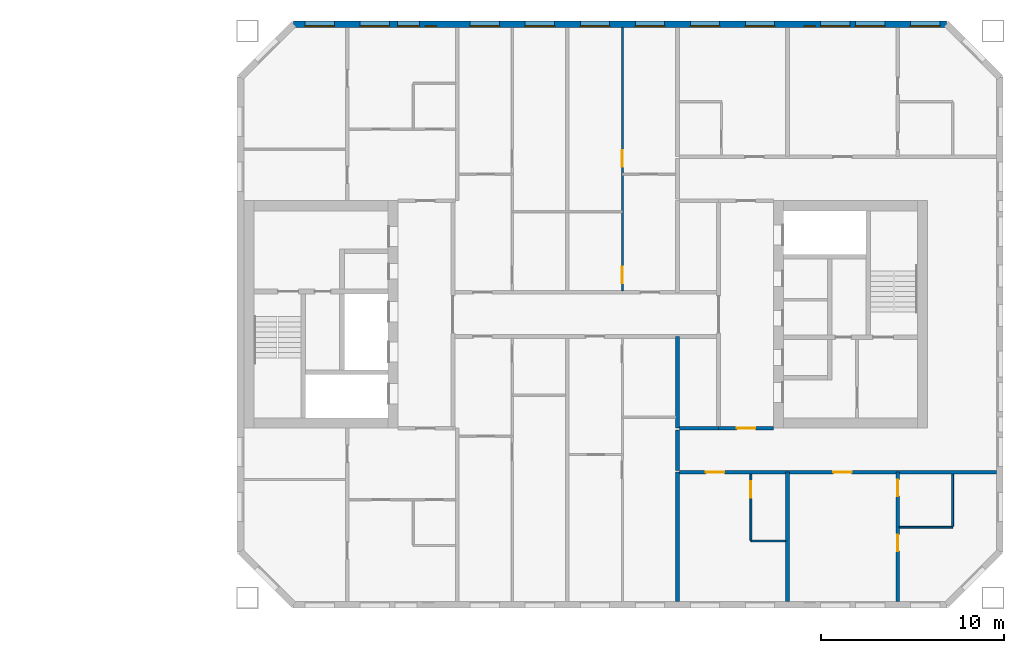
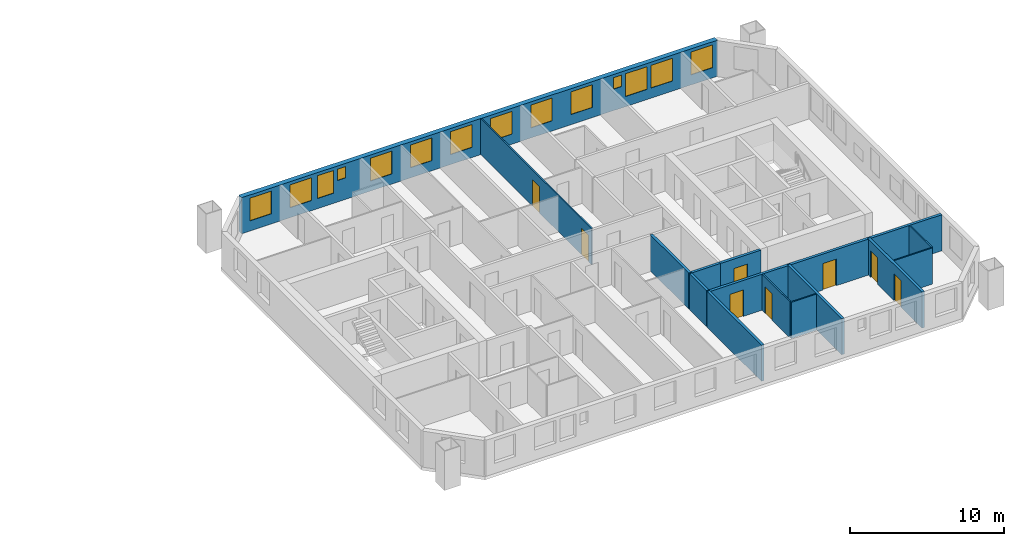
# One storey, part 12 of 16: 14 walls, 14 windows, 8 doors, 22 openings.
"""IFC4 building model written with IfcOpenShell, lengths in metres."""

from ifc_helpers import new_model, si_unit, direction, frame, frame_2d, origin, place, context, subcontext, project, spatial, rectangle, extrude, material, layer, layer_set, type_object, element, fill, save


model = new_model("IFC4")

# Units and contexts
model_context = context("Model", 3, precision=1e-05, world=origin(), true_north=direction((0.0, 1.0)))
body_context = subcontext(model_context, "Body", "Model", "MODEL_VIEW")
ifc_project = project(units=[si_unit("LENGTHUNIT", "METRE"), si_unit("AREAUNIT", "SQUARE_METRE"), si_unit("VOLUMEUNIT", "CUBIC_METRE"), si_unit("PLANEANGLEUNIT", "RADIAN"), si_unit("MASSUNIT", "GRAM", prefix="KILO")], contexts=[model_context])

# Site, building, storey
site_placement = place(None, origin())
site = spatial("IfcSite", under=ifc_project, at=site_placement, CompositionType="ELEMENT")
building_placement = place(site_placement, origin())
building = spatial("IfcBuilding", under=site, at=building_placement, Name="Tuart Gate Housing", CompositionType="ELEMENT")
storey_placement = place(building_placement, frame((0.0, 0.0, 129.89990234375)))
storey = spatial("IfcBuildingStorey", under=building, at=storey_placement, Name="L36", CompositionType="ELEMENT", Elevation=129.89990234375)

# Wall, openings, windows
ifc_material_1 = material(Name="Brick", Category="masonry")
ifc_layer_1 = layer(ifc_material_1, 0.360107421875)
ifc_layer_set_1 = layer_set([ifc_layer_1], Name="Brick pier and spandrel wall 360")
wall_type_1 = type_object("IfcWallType", Name="Brick pier and spandrel wall 360", PredefinedType="STANDARD", material=ifc_layer_set_1)
wall_1_placement = place(storey_placement, frame((169.67529296875, 85.820068359375, 0.0), z_axis=(0.0, 0.0, 1.0), x_axis=(-1.0, 0.0, 0.0)))
wall_1 = element("IfcWall", 1, at=wall_1_placement, inside=storey, type_object=wall_type_1, Name="External wall B-N L36", PredefinedType="STANDARD", context=body_context, shape_type="SweptSolid", body=[
    extrude(rectangle(XDim=35.600830078125, YDim=0.360107421875, at=frame_2d((17.80029296875, 0.0))), origin(), (0.0, 0.0, 1.0), 2.85009765625),
])
opening_1_placement = place(wall_1_placement, frame((0.37548828125, 0.0, 0.800048828125)))
opening_1 = element("IfcOpeningElement", 2, at=opening_1_placement, cuts=wall_1, Name="Opening W1", PredefinedType="OPENING", context=body_context, shape_type="SweptSolid", body=[
    extrude(rectangle(XDim=1.60009765625, YDim=1.800048828125, at=frame_2d((0.800048828125, 0.89990234375))), frame((0.0, 0.18994140625, 0.0), z_axis=(0.0, -1.0, 0.0), x_axis=(1.0, 0.0, 0.0)), (0.0, 0.0, 1.0), 0.380126953125),
])
opening_2_placement = place(wall_1_placement, frame((3.37548828125, 0.0, 0.800048828125)))
opening_2 = element("IfcOpeningElement", 3, at=opening_2_placement, cuts=wall_1, Name="Opening W1", PredefinedType="OPENING", context=body_context, shape_type="SweptSolid", body=[
    extrude(rectangle(XDim=1.60009765625, YDim=1.800048828125, at=frame_2d((0.800048828125, 0.89990234375))), frame((0.0, 0.18994140625, 0.0), z_axis=(0.0, -1.0, 0.0), x_axis=(1.0, 0.0, 0.0)), (0.0, 0.0, 1.0), 0.380126953125),
])
opening_3_placement = place(wall_1_placement, frame((5.275390625, 0.0, 0.800048828125)))
opening_3 = element("IfcOpeningElement", 4, at=opening_3_placement, cuts=wall_1, Name="Opening W1", PredefinedType="OPENING", context=body_context, shape_type="SweptSolid", body=[
    extrude(rectangle(XDim=1.60009765625, YDim=1.800048828125, at=frame_2d((0.800048828125, 0.89990234375))), frame((0.0, 0.18994140625, 0.0), z_axis=(0.0, -1.0, 0.0), x_axis=(1.0, 0.0, 0.0)), (0.0, 0.0, 1.0), 0.380126953125),
])
opening_4_placement = place(wall_1_placement, frame((9.37548828125, 0.0, 0.800048828125)))
opening_4 = element("IfcOpeningElement", 5, at=opening_4_placement, cuts=wall_1, Name="Opening W1", PredefinedType="OPENING", context=body_context, shape_type="SweptSolid", body=[
    extrude(rectangle(XDim=1.60009765625, YDim=1.800048828125, at=frame_2d((0.800048828125, 0.89990234375))), frame((0.0, 0.18994140625, 0.0), z_axis=(0.0, -1.0, 0.0), x_axis=(1.0, 0.0, 0.0)), (0.0, 0.0, 1.0), 0.380126953125),
])
opening_5_placement = place(wall_1_placement, frame((12.37548828125, 0.0, 0.800048828125)))
opening_5 = element("IfcOpeningElement", 6, at=opening_5_placement, cuts=wall_1, Name="Opening W1", PredefinedType="OPENING", context=body_context, shape_type="SweptSolid", body=[
    extrude(rectangle(XDim=1.60009765625, YDim=1.800048828125, at=frame_2d((0.800048828125, 0.89990234375))), frame((0.0, 0.18994140625, 0.0), z_axis=(0.0, -1.0, 0.0), x_axis=(1.0, 0.0, 0.0)), (0.0, 0.0, 1.0), 0.380126953125),
])
opening_6_placement = place(wall_1_placement, frame((15.37548828125, 0.0, 0.800048828125)))
opening_6 = element("IfcOpeningElement", 7, at=opening_6_placement, cuts=wall_1, Name="Opening W1", PredefinedType="OPENING", context=body_context, shape_type="SweptSolid", body=[
    extrude(rectangle(XDim=1.60009765625, YDim=1.800048828125, at=frame_2d((0.800048828125, 0.89990234375))), frame((0.0, 0.18994140625, 0.0), z_axis=(0.0, -1.0, 0.0), x_axis=(1.0, 0.0, 0.0)), (0.0, 0.0, 1.0), 0.380126953125),
])
opening_7_placement = place(wall_1_placement, frame((18.37548828125, 0.0, 0.800048828125)))
opening_7 = element("IfcOpeningElement", 8, at=opening_7_placement, cuts=wall_1, Name="Opening W1", PredefinedType="OPENING", context=body_context, shape_type="SweptSolid", body=[
    extrude(rectangle(XDim=1.60009765625, YDim=1.800048828125, at=frame_2d((0.800048828125, 0.89990234375))), frame((0.0, 0.18994140625, 0.0), z_axis=(0.0, -1.0, 0.0), x_axis=(1.0, 0.0, 0.0)), (0.0, 0.0, 1.0), 0.380126953125),
])
opening_8_placement = place(wall_1_placement, frame((21.37548828125, 0.0, 0.800048828125)))
opening_8 = element("IfcOpeningElement", 9, at=opening_8_placement, cuts=wall_1, Name="Opening W1", PredefinedType="OPENING", context=body_context, shape_type="SweptSolid", body=[
    extrude(rectangle(XDim=1.60009765625, YDim=1.800048828125, at=frame_2d((0.800048828125, 0.89990234375))), frame((0.0, 0.18994140625, 0.0), z_axis=(0.0, -1.0, 0.0), x_axis=(1.0, 0.0, 0.0)), (0.0, 0.0, 1.0), 0.380126953125),
])
opening_9_placement = place(wall_1_placement, frame((24.37548828125, 0.0, 0.800048828125)))
opening_9 = element("IfcOpeningElement", 10, at=opening_9_placement, cuts=wall_1, Name="Opening W1", PredefinedType="OPENING", context=body_context, shape_type="SweptSolid", body=[
    extrude(rectangle(XDim=1.60009765625, YDim=1.800048828125, at=frame_2d((0.800048828125, 0.89990234375))), frame((0.0, 0.18994140625, 0.0), z_axis=(0.0, -1.0, 0.0), x_axis=(1.0, 0.0, 0.0)), (0.0, 0.0, 1.0), 0.380126953125),
])
opening_10_placement = place(wall_1_placement, frame((27.825439453125, 0.0, 1.699951171875)))
opening_10 = element("IfcOpeningElement", 11, at=opening_10_placement, cuts=wall_1, Name="Opening W1W", PredefinedType="OPENING", context=body_context, shape_type="SweptSolid", body=[
    extrude(rectangle(XDim=0.60009765625, YDim=0.89990234375, at=frame_2d((0.300048828125, 0.449951171875))), frame((0.0, 0.18994140625, 0.0), z_axis=(0.0, -1.0, 0.0), x_axis=(1.0, 0.0, 0.0)), (0.0, 0.0, 1.0), 0.380126953125),
])
opening_11_placement = place(wall_1_placement, frame((30.37548828125, 0.0, 0.800048828125)))
opening_11 = element("IfcOpeningElement", 12, at=opening_11_placement, cuts=wall_1, Name="Opening W1", PredefinedType="OPENING", context=body_context, shape_type="SweptSolid", body=[
    extrude(rectangle(XDim=1.60009765625, YDim=1.800048828125, at=frame_2d((0.800048828125, 0.89990234375))), frame((0.0, 0.18994140625, 0.0), z_axis=(0.0, -1.0, 0.0), x_axis=(1.0, 0.0, 0.0)), (0.0, 0.0, 1.0), 0.380126953125),
])
opening_12_placement = place(wall_1_placement, frame((33.37548828125, 0.0, 0.800048828125)))
opening_12 = element("IfcOpeningElement", 13, at=opening_12_placement, cuts=wall_1, Name="Opening W1", PredefinedType="OPENING", context=body_context, shape_type="SweptSolid", body=[
    extrude(rectangle(XDim=1.60009765625, YDim=1.800048828125, at=frame_2d((0.800048828125, 0.89990234375))), frame((0.0, 0.18994140625, 0.0), z_axis=(0.0, -1.0, 0.0), x_axis=(1.0, 0.0, 0.0)), (0.0, 0.0, 1.0), 0.380126953125),
])
opening_13_placement = place(wall_1_placement, frame((7.17529296875, 0.0, 1.699951171875)))
opening_13 = element("IfcOpeningElement", 14, at=opening_13_placement, cuts=wall_1, Name="Opening W1W", PredefinedType="OPENING", context=body_context, shape_type="SweptSolid", body=[
    extrude(rectangle(XDim=0.60009765625, YDim=0.89990234375, at=frame_2d((0.300048828125, 0.449951171875))), frame((0.0, 0.18994140625, 0.0), z_axis=(0.0, -1.0, 0.0), x_axis=(1.0, 0.0, 0.0)), (0.0, 0.0, 1.0), 0.380126953125),
])
opening_14_placement = place(wall_1_placement, frame((28.725341796875, 0.0, 0.800048828125)))
opening_14 = element("IfcOpeningElement", 15, at=opening_14_placement, cuts=wall_1, Name="Opening W1B", PredefinedType="OPENING", context=body_context, shape_type="SweptSolid", body=[
    extrude(rectangle(XDim=1.199951171875, YDim=1.800048828125, at=frame_2d((0.60009765625, 0.89990234375))), frame((0.0, 0.18994140625, 0.0), z_axis=(0.0, -1.0, 0.0), x_axis=(1.0, 0.0, 0.0)), (0.0, 0.0, 1.0), 0.380126953125),
])
ifc_material_2 = material(Name="Aluminium frame with clear glass", Category="aluminium")
window_type_1 = type_object("IfcWindowType", Name="Punched window 1200 x 1800", PartitioningType="SINGLE_PANEL", PredefinedType="WINDOW", material=ifc_material_2)
window_1_placement = place(opening_14_placement, origin())
window_1 = element("IfcWindow", 16, at=window_1_placement, inside=storey, type_object=window_type_1, Name="Window W1B", OverallHeight=1.800048828125, OverallWidth=1.199951171875, PartitioningType="SINGLE_PANEL", PredefinedType="WINDOW", context=body_context, shape_type="SweptSolid", body=[
    extrude(rectangle(XDim=1.199951171875, YDim=1.800048828125, at=frame_2d((0.60009765625, 0.89990234375))), frame((0.0, 0.150146484375, 0.0), z_axis=(0.0, -1.0, 0.0), x_axis=(1.0, 0.0, 0.0)), (0.0, 0.0, 1.0), 0.06005859375),
])
fill(opening_14, window_1)
ifc_material_3 = material(Name="Aluminium frame with clear glass", Category="aluminium")
window_type_2 = type_object("IfcWindowType", Name="Punched window 1600 x 1800", PartitioningType="SINGLE_PANEL", PredefinedType="WINDOW", material=ifc_material_3)
window_2_placement = place(opening_1_placement, origin())
window_2 = element("IfcWindow", 17, at=window_2_placement, inside=storey, type_object=window_type_2, Name="Window W1", OverallHeight=1.800048828125, OverallWidth=1.60009765625, PartitioningType="SINGLE_PANEL", PredefinedType="WINDOW", context=body_context, shape_type="SweptSolid", body=[
    extrude(rectangle(XDim=1.60009765625, YDim=1.800048828125, at=frame_2d((0.800048828125, 0.89990234375))), frame((0.0, 0.150146484375, 0.0), z_axis=(0.0, -1.0, 0.0), x_axis=(1.0, 0.0, 0.0)), (0.0, 0.0, 1.0), 0.06005859375),
])
fill(opening_1, window_2)
window_3_placement = place(opening_2_placement, origin())
window_3 = element("IfcWindow", 18, at=window_3_placement, inside=storey, type_object=window_type_2, Name="Window W1", OverallHeight=1.800048828125, OverallWidth=1.60009765625, PartitioningType="SINGLE_PANEL", PredefinedType="WINDOW", context=body_context, shape_type="SweptSolid", body=[
    extrude(rectangle(XDim=1.60009765625, YDim=1.800048828125, at=frame_2d((0.800048828125, 0.89990234375))), frame((0.0, 0.150146484375, 0.0), z_axis=(0.0, -1.0, 0.0), x_axis=(1.0, 0.0, 0.0)), (0.0, 0.0, 1.0), 0.06005859375),
])
fill(opening_2, window_3)
window_4_placement = place(opening_3_placement, origin())
window_4 = element("IfcWindow", 19, at=window_4_placement, inside=storey, type_object=window_type_2, Name="Window W1", OverallHeight=1.800048828125, OverallWidth=1.60009765625, PartitioningType="SINGLE_PANEL", PredefinedType="WINDOW", context=body_context, shape_type="SweptSolid", body=[
    extrude(rectangle(XDim=1.60009765625, YDim=1.800048828125, at=frame_2d((0.800048828125, 0.89990234375))), frame((0.0, 0.150146484375, 0.0), z_axis=(0.0, -1.0, 0.0), x_axis=(1.0, 0.0, 0.0)), (0.0, 0.0, 1.0), 0.06005859375),
])
fill(opening_3, window_4)
window_5_placement = place(opening_4_placement, origin())
window_5 = element("IfcWindow", 20, at=window_5_placement, inside=storey, type_object=window_type_2, Name="Window W1", OverallHeight=1.800048828125, OverallWidth=1.60009765625, PartitioningType="SINGLE_PANEL", PredefinedType="WINDOW", context=body_context, shape_type="SweptSolid", body=[
    extrude(rectangle(XDim=1.60009765625, YDim=1.800048828125, at=frame_2d((0.800048828125, 0.89990234375))), frame((0.0, 0.150146484375, 0.0), z_axis=(0.0, -1.0, 0.0), x_axis=(1.0, 0.0, 0.0)), (0.0, 0.0, 1.0), 0.06005859375),
])
fill(opening_4, window_5)
window_6_placement = place(opening_5_placement, origin())
window_6 = element("IfcWindow", 21, at=window_6_placement, inside=storey, type_object=window_type_2, Name="Window W1", OverallHeight=1.800048828125, OverallWidth=1.60009765625, PartitioningType="SINGLE_PANEL", PredefinedType="WINDOW", context=body_context, shape_type="SweptSolid", body=[
    extrude(rectangle(XDim=1.60009765625, YDim=1.800048828125, at=frame_2d((0.800048828125, 0.89990234375))), frame((0.0, 0.150146484375, 0.0), z_axis=(0.0, -1.0, 0.0), x_axis=(1.0, 0.0, 0.0)), (0.0, 0.0, 1.0), 0.06005859375),
])
fill(opening_5, window_6)
window_7_placement = place(opening_6_placement, origin())
window_7 = element("IfcWindow", 22, at=window_7_placement, inside=storey, type_object=window_type_2, Name="Window W1", OverallHeight=1.800048828125, OverallWidth=1.60009765625, PartitioningType="SINGLE_PANEL", PredefinedType="WINDOW", context=body_context, shape_type="SweptSolid", body=[
    extrude(rectangle(XDim=1.60009765625, YDim=1.800048828125, at=frame_2d((0.800048828125, 0.89990234375))), frame((0.0, 0.150146484375, 0.0), z_axis=(0.0, -1.0, 0.0), x_axis=(1.0, 0.0, 0.0)), (0.0, 0.0, 1.0), 0.06005859375),
])
fill(opening_6, window_7)
window_8_placement = place(opening_7_placement, origin())
window_8 = element("IfcWindow", 23, at=window_8_placement, inside=storey, type_object=window_type_2, Name="Window W1", OverallHeight=1.800048828125, OverallWidth=1.60009765625, PartitioningType="SINGLE_PANEL", PredefinedType="WINDOW", context=body_context, shape_type="SweptSolid", body=[
    extrude(rectangle(XDim=1.60009765625, YDim=1.800048828125, at=frame_2d((0.800048828125, 0.89990234375))), frame((0.0, 0.150146484375, 0.0), z_axis=(0.0, -1.0, 0.0), x_axis=(1.0, 0.0, 0.0)), (0.0, 0.0, 1.0), 0.06005859375),
])
fill(opening_7, window_8)
window_9_placement = place(opening_8_placement, origin())
window_9 = element("IfcWindow", 24, at=window_9_placement, inside=storey, type_object=window_type_2, Name="Window W1", OverallHeight=1.800048828125, OverallWidth=1.60009765625, PartitioningType="SINGLE_PANEL", PredefinedType="WINDOW", context=body_context, shape_type="SweptSolid", body=[
    extrude(rectangle(XDim=1.60009765625, YDim=1.800048828125, at=frame_2d((0.800048828125, 0.89990234375))), frame((0.0, 0.150146484375, 0.0), z_axis=(0.0, -1.0, 0.0), x_axis=(1.0, 0.0, 0.0)), (0.0, 0.0, 1.0), 0.06005859375),
])
fill(opening_8, window_9)
window_10_placement = place(opening_9_placement, origin())
window_10 = element("IfcWindow", 25, at=window_10_placement, inside=storey, type_object=window_type_2, Name="Window W1", OverallHeight=1.800048828125, OverallWidth=1.60009765625, PartitioningType="SINGLE_PANEL", PredefinedType="WINDOW", context=body_context, shape_type="SweptSolid", body=[
    extrude(rectangle(XDim=1.60009765625, YDim=1.800048828125, at=frame_2d((0.800048828125, 0.89990234375))), frame((0.0, 0.150146484375, 0.0), z_axis=(0.0, -1.0, 0.0), x_axis=(1.0, 0.0, 0.0)), (0.0, 0.0, 1.0), 0.06005859375),
])
fill(opening_9, window_10)
window_11_placement = place(opening_11_placement, origin())
window_11 = element("IfcWindow", 26, at=window_11_placement, inside=storey, type_object=window_type_2, Name="Window W1", OverallHeight=1.800048828125, OverallWidth=1.60009765625, PartitioningType="SINGLE_PANEL", PredefinedType="WINDOW", context=body_context, shape_type="SweptSolid", body=[
    extrude(rectangle(XDim=1.60009765625, YDim=1.800048828125, at=frame_2d((0.800048828125, 0.89990234375))), frame((0.0, 0.150146484375, 0.0), z_axis=(0.0, -1.0, 0.0), x_axis=(1.0, 0.0, 0.0)), (0.0, 0.0, 1.0), 0.06005859375),
])
fill(opening_11, window_11)
window_12_placement = place(opening_12_placement, origin())
window_12 = element("IfcWindow", 27, at=window_12_placement, inside=storey, type_object=window_type_2, Name="Window W1", OverallHeight=1.800048828125, OverallWidth=1.60009765625, PartitioningType="SINGLE_PANEL", PredefinedType="WINDOW", context=body_context, shape_type="SweptSolid", body=[
    extrude(rectangle(XDim=1.60009765625, YDim=1.800048828125, at=frame_2d((0.800048828125, 0.89990234375))), frame((0.0, 0.150146484375, 0.0), z_axis=(0.0, -1.0, 0.0), x_axis=(1.0, 0.0, 0.0)), (0.0, 0.0, 1.0), 0.06005859375),
])
fill(opening_12, window_12)
ifc_material_4 = material(Name="Aluminium frame with clear glass", Category="aluminium")
window_type_3 = type_object("IfcWindowType", Name="Punched window 600 x 900", PartitioningType="SINGLE_PANEL", PredefinedType="WINDOW", material=ifc_material_4)
window_13_placement = place(opening_10_placement, origin())
window_13 = element("IfcWindow", 28, at=window_13_placement, inside=storey, type_object=window_type_3, Name="Window W1W", OverallHeight=0.89990234375, OverallWidth=0.60009765625, PartitioningType="SINGLE_PANEL", PredefinedType="WINDOW", context=body_context, shape_type="SweptSolid", body=[
    extrude(rectangle(XDim=0.60009765625, YDim=0.89990234375, at=frame_2d((0.300048828125, 0.449951171875))), frame((0.0, 0.150146484375, 0.0), z_axis=(0.0, -1.0, 0.0), x_axis=(1.0, 0.0, 0.0)), (0.0, 0.0, 1.0), 0.06005859375),
])
fill(opening_10, window_13)
window_14_placement = place(opening_13_placement, origin())
window_14 = element("IfcWindow", 29, at=window_14_placement, inside=storey, type_object=window_type_3, Name="Window W1W", OverallHeight=0.89990234375, OverallWidth=0.60009765625, PartitioningType="SINGLE_PANEL", PredefinedType="WINDOW", context=body_context, shape_type="SweptSolid", body=[
    extrude(rectangle(XDim=0.60009765625, YDim=0.89990234375, at=frame_2d((0.300048828125, 0.449951171875))), frame((0.0, 0.150146484375, 0.0), z_axis=(0.0, -1.0, 0.0), x_axis=(1.0, 0.0, 0.0)), (0.0, 0.0, 1.0), 0.06005859375),
])
fill(opening_13, window_14)

# Wall, openings, doors
ifc_material_5 = material(Name="Concrete masonry 15 MPa", Category="masonry")
ifc_layer_2 = layer(ifc_material_5, 0.199951171875)
ifc_layer_set_2 = layer_set([ifc_layer_2], Name="Corridor wall masonry 200")
wall_type_2 = type_object("IfcWallType", Name="Corridor wall masonry 200", PredefinedType="PARTITIONING", material=ifc_layer_set_2)
wall_2_placement = place(storey_placement, frame((155.10009765625, 61.39990234375, 0.0), z_axis=(0.0, 0.0, 1.0), x_axis=(1.0, 0.0, 0.0)))
wall_2 = element("IfcWall", 30, at=wall_2_placement, inside=storey, type_object=wall_type_2, Name="Corridor wall masonry 200", PredefinedType="PARTITIONING", context=body_context, shape_type="SweptSolid", body=[
    extrude(rectangle(XDim=17.289794921875, YDim=0.199951171875, at=frame_2d((8.64501953125, 0.0))), origin(), (0.0, 0.0, 1.0), 2.85009765625),
])
opening_15_placement = place(wall_2_placement, frame((1.449951171875, 0.0, 0.0)))
opening_15 = element("IfcOpeningElement", 31, at=opening_15_placement, cuts=wall_2, Name="Opening D1393", PredefinedType="OPENING", context=body_context, shape_type="SweptSolid", body=[
    extrude(rectangle(XDim=1.0, YDim=2.10009765625, at=frame_2d((0.5, 1.050048828125))), frame((0.0, 0.10986328125, 0.0), z_axis=(0.0, -1.0, 0.0), x_axis=(1.0, 0.0, 0.0)), (0.0, 0.0, 1.0), 0.219970703125),
])
opening_16_placement = place(wall_2_placement, frame((8.39990234375, 0.0, 0.0)))
opening_16 = element("IfcOpeningElement", 32, at=opening_16_placement, cuts=wall_2, Name="Opening D1394", PredefinedType="OPENING", context=body_context, shape_type="SweptSolid", body=[
    extrude(rectangle(XDim=1.0, YDim=2.10009765625, at=frame_2d((0.5, 1.050048828125))), frame((0.0, 0.10986328125, 0.0), z_axis=(0.0, -1.0, 0.0), x_axis=(1.0, 0.0, 0.0)), (0.0, 0.0, 1.0), 0.219970703125),
])
ifc_material_6 = material(Name="Timber door leaf in steel frame", Category="steel")
door_type_1 = type_object("IfcDoorType", Name="Flat entrance door 1000", OperationType="SINGLE_SWING_LEFT", PredefinedType="DOOR", material=ifc_material_6)
door_1_placement = place(opening_15_placement, frame((1.0, 0.0, 0.0), z_axis=(0.0, 0.0, 1.0), x_axis=(-1.0, 0.0, 0.0)))
door_1 = element("IfcDoor", 33, at=door_1_placement, inside=storey, type_object=door_type_1, Name="Flat entrance door", OperationType="SINGLE_SWING_LEFT", OverallHeight=2.10009765625, OverallWidth=1.0, PredefinedType="DOOR", context=body_context, shape_type="SweptSolid", body=[
    extrude(rectangle(XDim=1.0, YDim=2.10009765625, at=frame_2d((0.5, 1.050048828125))), frame((0.0, 0.025146484375, 0.0), z_axis=(0.0, -1.0, 0.0), x_axis=(1.0, 0.0, 0.0)), (0.0, 0.0, 1.0), 0.050048828125),
])
fill(opening_15, door_1)
ifc_material_7 = material(Name="Timber door leaf in steel frame", Category="steel")
door_type_2 = type_object("IfcDoorType", Name="Flat entrance door 1000 RH", OperationType="SINGLE_SWING_RIGHT", PredefinedType="DOOR", material=ifc_material_7)
door_2_placement = place(opening_16_placement, frame((1.0, 0.0, 0.0), z_axis=(0.0, 0.0, 1.0), x_axis=(-1.0, 0.0, 0.0)))
door_2 = element("IfcDoor", 34, at=door_2_placement, inside=storey, type_object=door_type_2, Name="Flat entrance door", OperationType="SINGLE_SWING_RIGHT", OverallHeight=2.10009765625, OverallWidth=1.0, PredefinedType="DOOR", context=body_context, shape_type="SweptSolid", body=[
    extrude(rectangle(XDim=1.0, YDim=2.10009765625, at=frame_2d((0.5, 1.050048828125))), frame((0.0, 0.025146484375, 0.0), z_axis=(0.0, -1.0, 0.0), x_axis=(1.0, 0.0, 0.0)), (0.0, 0.0, 1.0), 0.050048828125),
])
fill(opening_16, door_2)

# Walls
wall_3_placement = place(storey_placement, frame((155.10009765625, 63.800048828125, 0.0), z_axis=(0.0, 0.0, 1.0), x_axis=(1.0, 0.0, 0.0)))
element("IfcWall", 35, at=wall_3_placement, inside=storey, type_object=wall_type_2, Name="Corridor wall masonry 200", PredefinedType="PARTITIONING", context=body_context, shape_type="SweptSolid", body=[
    extrude(rectangle(XDim=2.139892578125, YDim=0.199951171875, at=frame_2d((1.06982421875, 0.0))), origin(), (0.0, 0.0, 1.0), 2.85009765625),
])
wall_4_placement = place(storey_placement, frame((155.0, 61.5, 0.0), z_axis=(0.0, 0.0, 1.0), x_axis=(0.0, 1.0, 0.0)))
element("IfcWall", 36, at=wall_4_placement, inside=storey, type_object=wall_type_2, Name="Corridor wall masonry 200", PredefinedType="PARTITIONING", context=body_context, shape_type="SweptSolid", body=[
    extrude(rectangle(XDim=2.199951171875, YDim=0.199951171875, at=frame_2d((1.10009765625, 0.0))), origin(), (0.0, 0.0, 1.0), 2.85009765625),
])

# Wall, opening, door
ifc_material_8 = material(Name="Concrete masonry 15 MPa", Category="masonry")
ifc_layer_3 = layer(ifc_material_8, 0.199951171875)
ifc_layer_set_3 = layer_set([ifc_layer_3], Name="Enclosure wall masonry 200")
wall_type_3 = type_object("IfcWallType", Name="Enclosure wall masonry 200", PredefinedType="PARTITIONING", material=ifc_layer_set_3)
wall_5_placement = place(storey_placement, frame((157.239990234375, 63.800048828125, 0.0), z_axis=(0.0, 0.0, 1.0), x_axis=(1.0, 0.0, 0.0)))
wall_5 = element("IfcWall", 37, at=wall_5_placement, inside=storey, type_object=wall_type_3, Name="Enclosure wall masonry 200", PredefinedType="PARTITIONING", context=body_context, shape_type="SweptSolid", body=[
    extrude(rectangle(XDim=3.0, YDim=0.199951171875, at=frame_2d((1.5, 0.0))), origin(), (0.0, 0.0, 1.0), 2.85009765625),
])
opening_17_placement = place(wall_5_placement, frame((1.0, 0.0, 0.0)))
opening_17 = element("IfcOpeningElement", 38, at=opening_17_placement, cuts=wall_5, Name="Opening D1386", PredefinedType="OPENING", context=body_context, shape_type="SweptSolid", body=[
    extrude(rectangle(XDim=1.0, YDim=2.10009765625, at=frame_2d((0.5, 1.050048828125))), frame((0.0, 0.10986328125, 0.0), z_axis=(0.0, -1.0, 0.0), x_axis=(1.0, 0.0, 0.0)), (0.0, 0.0, 1.0), 0.219970703125),
])
ifc_material_9 = material(Name="Timber door leaf in steel frame", Category="steel")
door_type_3 = type_object("IfcDoorType", Name="Fire door 1000 RH", OperationType="SINGLE_SWING_RIGHT", PredefinedType="DOOR", material=ifc_material_9)
door_3_placement = place(opening_17_placement, frame((1.0, 0.0, 0.0), z_axis=(0.0, 0.0, 1.0), x_axis=(-1.0, 0.0, 0.0)))
door_3 = element("IfcDoor", 39, at=door_3_placement, inside=storey, type_object=door_type_3, Name="Fire door", OperationType="SINGLE_SWING_RIGHT", OverallHeight=2.10009765625, OverallWidth=1.0, PredefinedType="DOOR", context=body_context, shape_type="SweptSolid", body=[
    extrude(rectangle(XDim=1.0, YDim=2.10009765625, at=frame_2d((0.5, 1.050048828125))), frame((0.0, 0.025146484375, 0.0), z_axis=(0.0, -1.0, 0.0), x_axis=(1.0, 0.0, 0.0)), (0.0, 0.0, 1.0), 0.050048828125),
])
fill(opening_17, door_3)

# Walls
ifc_material_10 = material(Name="Gypsum board on steel studs", Category="steel")
ifc_layer_4 = layer(ifc_material_10, 0.10009765625)
ifc_layer_set_4 = layer_set([ifc_layer_4], Name="Partition 100")
wall_type_4 = type_object("IfcWallType", Name="Partition 100", PredefinedType="PARTITIONING", material=ifc_layer_set_4)
wall_6_placement = place(storey_placement, frame((159.0, 57.64990234375, 0.0), z_axis=(0.0, 0.0, 1.0), x_axis=(1.0, 0.0, 0.0)))
element("IfcWall", 40, at=wall_6_placement, inside=storey, type_object=wall_type_4, Name="Partition 100", PredefinedType="PARTITIONING", context=body_context, shape_type="SweptSolid", body=[
    extrude(rectangle(XDim=1.89990234375, YDim=0.10009765625, at=frame_2d((0.949951171875, 0.0))), origin(), (0.0, 0.0, 1.0), 2.85009765625),
])
wall_7_placement = place(storey_placement, frame((167.10009765625, 58.39990234375, 0.0), z_axis=(0.0, 0.0, 1.0), x_axis=(1.0, 0.0, 0.0)))
element("IfcWall", 41, at=wall_7_placement, inside=storey, type_object=wall_type_4, Name="Partition 100", PredefinedType="PARTITIONING", context=body_context, shape_type="SweptSolid", body=[
    extrude(rectangle(XDim=2.89990234375, YDim=0.10009765625, at=frame_2d((1.449951171875, 0.0))), origin(), (0.0, 0.0, 1.0), 2.85009765625),
])

# Wall, openings, doors
wall_8_placement = place(storey_placement, frame((152.0, 71.300048828125, 0.0), z_axis=(0.0, 0.0, 1.0), x_axis=(0.0, 1.0, 0.0)))
wall_8 = element("IfcWall", 42, at=wall_8_placement, inside=storey, type_object=wall_type_4, Name="Partition 100", PredefinedType="PARTITIONING", context=body_context, shape_type="SweptSolid", body=[
    extrude(rectangle(XDim=14.33984375, YDim=0.10009765625, at=frame_2d((7.169921875, 0.0))), origin(), (0.0, 0.0, 1.0), 2.85009765625),
])
opening_18_placement = place(wall_8_placement, frame((6.739990234375, 0.0, 0.0)))
opening_18 = element("IfcOpeningElement", 43, at=opening_18_placement, cuts=wall_8, Name="Opening D1363", PredefinedType="OPENING", context=body_context, shape_type="SweptSolid", body=[
    extrude(rectangle(XDim=0.89990234375, YDim=2.10009765625, at=frame_2d((0.449951171875, 1.050048828125))), frame((0.0, 0.06005859375, 0.0), z_axis=(0.0, -1.0, 0.0), x_axis=(1.0, 0.0, 0.0)), (0.0, 0.0, 1.0), 0.1201171875),
])
opening_19_placement = place(wall_8_placement, frame((0.39990234375, 0.0, 0.0)))
opening_19 = element("IfcOpeningElement", 44, at=opening_19_placement, cuts=wall_8, Name="Opening D1362", PredefinedType="OPENING", context=body_context, shape_type="SweptSolid", body=[
    extrude(rectangle(XDim=0.89990234375, YDim=2.10009765625, at=frame_2d((0.449951171875, 1.050048828125))), frame((0.0, 0.06005859375, 0.0), z_axis=(0.0, -1.0, 0.0), x_axis=(1.0, 0.0, 0.0)), (0.0, 0.0, 1.0), 0.1201171875),
])
ifc_material_11 = material(Name="Timber door leaf in steel frame", Category="steel")
door_type_4 = type_object("IfcDoorType", Name="Bathroom door 900", OperationType="SINGLE_SWING_LEFT", PredefinedType="DOOR", material=ifc_material_11)
door_4_placement = place(opening_19_placement, origin())
door_4 = element("IfcDoor", 45, at=door_4_placement, inside=storey, type_object=door_type_4, Name="Bathroom door", OperationType="SINGLE_SWING_LEFT", OverallHeight=2.10009765625, OverallWidth=0.89990234375, PredefinedType="DOOR", context=body_context, shape_type="SweptSolid", body=[
    extrude(rectangle(XDim=0.89990234375, YDim=2.10009765625, at=frame_2d((0.449951171875, 1.050048828125))), frame((0.0, 0.02490234375, 0.0), z_axis=(0.0, -1.0, 0.0), x_axis=(1.0, 0.0, 0.0)), (0.0, 0.0, 1.0), 0.050048828125),
])
fill(opening_19, door_4)
ifc_material_12 = material(Name="Timber door leaf in steel frame", Category="steel")
door_type_5 = type_object("IfcDoorType", Name="Internal door 900", OperationType="SINGLE_SWING_LEFT", PredefinedType="DOOR", material=ifc_material_12)
door_5_placement = place(opening_18_placement, origin())
door_5 = element("IfcDoor", 46, at=door_5_placement, inside=storey, type_object=door_type_5, Name="Internal door", OperationType="SINGLE_SWING_LEFT", OverallHeight=2.10009765625, OverallWidth=0.89990234375, PredefinedType="DOOR", context=body_context, shape_type="SweptSolid", body=[
    extrude(rectangle(XDim=0.89990234375, YDim=2.10009765625, at=frame_2d((0.449951171875, 1.050048828125))), frame((0.0, 0.02490234375, 0.0), z_axis=(0.0, -1.0, 0.0), x_axis=(1.0, 0.0, 0.0)), (0.0, 0.0, 1.0), 0.050048828125),
])
fill(opening_18, door_5)

# Wall, opening, door
wall_9_placement = place(storey_placement, frame((159.0, 57.699951171875, 0.0), z_axis=(0.0, 0.0, 1.0), x_axis=(0.0, 1.0, 0.0)))
wall_9 = element("IfcWall", 47, at=wall_9_placement, inside=storey, type_object=wall_type_4, Name="Partition 100", PredefinedType="PARTITIONING", context=body_context, shape_type="SweptSolid", body=[
    extrude(rectangle(XDim=3.60009765625, YDim=0.10009765625, at=frame_2d((1.800048828125, 0.0))), origin(), (0.0, 0.0, 1.0), 2.85009765625),
])
opening_20_placement = place(wall_9_placement, frame((2.300048828125, 0.0, 0.0)))
opening_20 = element("IfcOpeningElement", 48, at=opening_20_placement, cuts=wall_9, Name="Opening D1397", PredefinedType="OPENING", context=body_context, shape_type="SweptSolid", body=[
    extrude(rectangle(XDim=0.89990234375, YDim=2.10009765625, at=frame_2d((0.449951171875, 1.050048828125))), frame((0.0, 0.06005859375, 0.0), z_axis=(0.0, -1.0, 0.0), x_axis=(1.0, 0.0, 0.0)), (0.0, 0.0, 1.0), 0.1201171875),
])
door_6_placement = place(opening_20_placement, frame((0.89990234375, 0.0, 0.0), z_axis=(0.0, 0.0, 1.0), x_axis=(-1.0, 0.0, 0.0)))
door_6 = element("IfcDoor", 49, at=door_6_placement, inside=storey, type_object=door_type_4, Name="Bathroom door", OperationType="SINGLE_SWING_LEFT", OverallHeight=2.10009765625, OverallWidth=0.89990234375, PredefinedType="DOOR", context=body_context, shape_type="SweptSolid", body=[
    extrude(rectangle(XDim=0.89990234375, YDim=2.10009765625, at=frame_2d((0.449951171875, 1.050048828125))), frame((0.0, 0.025146484375, 0.0), z_axis=(0.0, -1.0, 0.0), x_axis=(1.0, 0.0, 0.0)), (0.0, 0.0, 1.0), 0.050048828125),
])
fill(opening_20, door_6)

# Walls
wall_10_placement = place(storey_placement, frame((170.0, 58.449951171875, 0.0), z_axis=(0.0, 0.0, 1.0), x_axis=(0.0, 1.0, 0.0)))
element("IfcWall", 50, at=wall_10_placement, inside=storey, type_object=wall_type_4, Name="Partition 100", PredefinedType="PARTITIONING", context=body_context, shape_type="SweptSolid", body=[
    extrude(rectangle(XDim=2.85009765625, YDim=0.10009765625, at=frame_2d((1.425048828125, 0.0))), origin(), (0.0, 0.0, 1.0), 2.85009765625),
])
ifc_material_13 = material(Name="Concrete C40", Category="concrete")
ifc_layer_5 = layer(ifc_material_13, 0.199951171875)
ifc_layer_set_5 = layer_set([ifc_layer_5], Name="Party wall concrete C40 200")
wall_type_5 = type_object("IfcWallType", Name="Party wall concrete C40 200", PredefinedType="SOLIDWALL", material=ifc_layer_set_5)
wall_11_placement = place(storey_placement, frame((155.0, 54.360107421875, 0.0), z_axis=(0.0, 0.0, 1.0), x_axis=(0.0, 1.0, 0.0)))
element("IfcWall", 51, at=wall_11_placement, inside=storey, type_object=wall_type_5, Name="Party wall concrete C40 200", PredefinedType="SOLIDWALL", context=body_context, shape_type="SweptSolid", body=[
    extrude(rectangle(XDim=7.039794921875, YDim=0.199951171875, at=frame_2d((3.52001953125, 0.0))), origin(), (0.0, 0.0, 1.0), 2.85009765625),
])
wall_12_placement = place(storey_placement, frame((155.0, 63.800048828125, 0.0), z_axis=(0.0, 0.0, 1.0), x_axis=(0.0, 1.0, 0.0)))
element("IfcWall", 52, at=wall_12_placement, inside=storey, type_object=wall_type_5, Name="Party wall concrete C40 200", PredefinedType="SOLIDWALL", context=body_context, shape_type="SweptSolid", body=[
    extrude(rectangle(XDim=5.0, YDim=0.199951171875, at=frame_2d((2.5, 0.0))), origin(), (0.0, 0.0, 1.0), 2.85009765625),
])
wall_13_placement = place(storey_placement, frame((161.0, 54.360107421875, 0.0), z_axis=(0.0, 0.0, 1.0), x_axis=(0.0, 1.0, 0.0)))
element("IfcWall", 53, at=wall_13_placement, inside=storey, type_object=wall_type_5, Name="Party wall concrete C40 200", PredefinedType="SOLIDWALL", context=body_context, shape_type="SweptSolid", body=[
    extrude(rectangle(XDim=7.039794921875, YDim=0.199951171875, at=frame_2d((3.52001953125, 0.0))), origin(), (0.0, 0.0, 1.0), 2.85009765625),
])

# Wall, openings, doors
wall_14_placement = place(storey_placement, frame((167.0, 54.360107421875, 0.0), z_axis=(0.0, 0.0, 1.0), x_axis=(0.0, 1.0, 0.0)))
wall_14 = element("IfcWall", 54, at=wall_14_placement, inside=storey, type_object=wall_type_5, Name="Party wall concrete C40 200", PredefinedType="SOLIDWALL", context=body_context, shape_type="SweptSolid", body=[
    extrude(rectangle(XDim=7.039794921875, YDim=0.199951171875, at=frame_2d((3.52001953125, 0.0))), origin(), (0.0, 0.0, 1.0), 2.85009765625),
])
opening_21_placement = place(wall_14_placement, frame((2.739990234375, 0.0, 0.0)))
opening_21 = element("IfcOpeningElement", 55, at=opening_21_placement, cuts=wall_14, Name="Opening D1401", PredefinedType="OPENING", context=body_context, shape_type="SweptSolid", body=[
    extrude(rectangle(XDim=0.89990234375, YDim=2.10009765625, at=frame_2d((0.449951171875, 1.050048828125))), frame((0.0, 0.10986328125, 0.0), z_axis=(0.0, -1.0, 0.0), x_axis=(1.0, 0.0, 0.0)), (0.0, 0.0, 1.0), 0.219970703125),
])
opening_22_placement = place(wall_14_placement, frame((5.739990234375, 0.0, 0.0)))
opening_22 = element("IfcOpeningElement", 56, at=opening_22_placement, cuts=wall_14, Name="Opening D1400", PredefinedType="OPENING", context=body_context, shape_type="SweptSolid", body=[
    extrude(rectangle(XDim=0.89990234375, YDim=2.10009765625, at=frame_2d((0.449951171875, 1.050048828125))), frame((0.0, 0.10986328125, 0.0), z_axis=(0.0, -1.0, 0.0), x_axis=(1.0, 0.0, 0.0)), (0.0, 0.0, 1.0), 0.219970703125),
])
door_7_placement = place(opening_22_placement, frame((0.89990234375, 0.0, 0.0), z_axis=(0.0, 0.0, 1.0), x_axis=(-1.0, 0.0, 0.0)))
door_7 = element("IfcDoor", 57, at=door_7_placement, inside=storey, type_object=door_type_4, Name="Bathroom door", OperationType="SINGLE_SWING_LEFT", OverallHeight=2.10009765625, OverallWidth=0.89990234375, PredefinedType="DOOR", context=body_context, shape_type="SweptSolid", body=[
    extrude(rectangle(XDim=0.89990234375, YDim=2.10009765625, at=frame_2d((0.449951171875, 1.050048828125))), frame((0.0, 0.025146484375, 0.0), z_axis=(0.0, -1.0, 0.0), x_axis=(1.0, 0.0, 0.0)), (0.0, 0.0, 1.0), 0.050048828125),
])
fill(opening_22, door_7)
door_8_placement = place(opening_21_placement, frame((0.89990234375, 0.0, 0.0), z_axis=(0.0, 0.0, 1.0), x_axis=(-1.0, 0.0, 0.0)))
door_8 = element("IfcDoor", 58, at=door_8_placement, inside=storey, type_object=door_type_5, Name="Internal door", OperationType="SINGLE_SWING_LEFT", OverallHeight=2.10009765625, OverallWidth=0.89990234375, PredefinedType="DOOR", context=body_context, shape_type="SweptSolid", body=[
    extrude(rectangle(XDim=0.89990234375, YDim=2.10009765625, at=frame_2d((0.449951171875, 1.050048828125))), frame((0.0, 0.025146484375, 0.0), z_axis=(0.0, -1.0, 0.0), x_axis=(1.0, 0.0, 0.0)), (0.0, 0.0, 1.0), 0.050048828125),
])
fill(opening_21, door_8)

save(model, "model.ifc")
